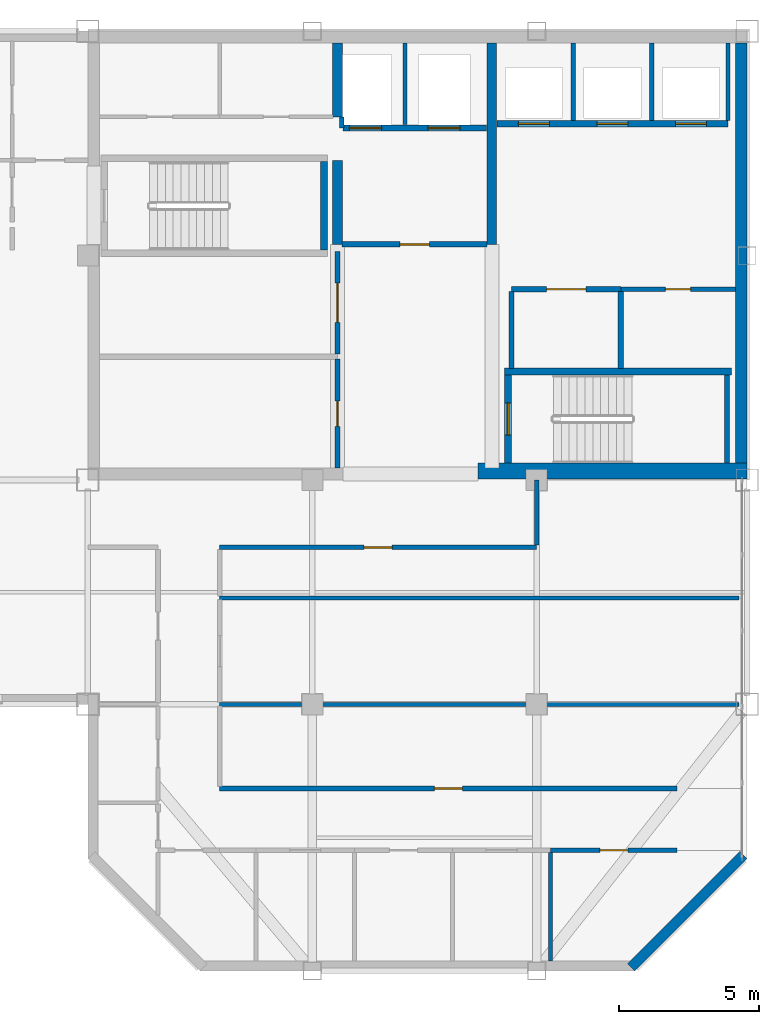
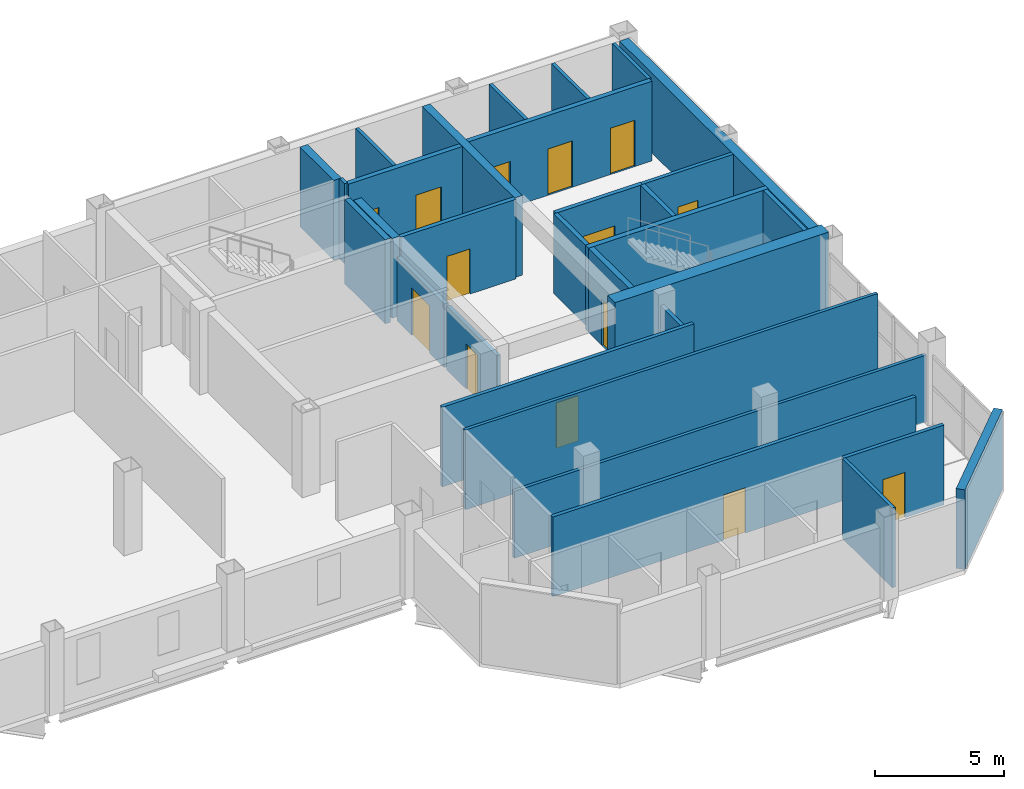
# One storey, part 9 of 13: 31 walls, 14 doors, 14 openings.
"""IFC4 building model written with IfcOpenShell, lengths in metres."""

from ifc_helpers import new_model, si_unit, direction, frame, frame_2d, origin, place, context, subcontext, project, spatial, rectangle, extrude, material, layer, layer_set, type_object, element, fill, save


model = new_model("IFC4")

# Units and contexts
model_context = context("Model", 3, precision=1e-05, world=origin(), true_north=direction((0.0, 1.0)))
body_context = subcontext(model_context, "Body", "Model", "MODEL_VIEW")
ifc_project = project(units=[si_unit("LENGTHUNIT", "METRE"), si_unit("AREAUNIT", "SQUARE_METRE"), si_unit("VOLUMEUNIT", "CUBIC_METRE"), si_unit("PLANEANGLEUNIT", "RADIAN"), si_unit("MASSUNIT", "GRAM", prefix="KILO")], contexts=[model_context])

# Site, building, storey
site_placement = place(None, origin())
site = spatial("IfcSite", under=ifc_project, at=site_placement, CompositionType="ELEMENT")
building_placement = place(site_placement, origin())
building = spatial("IfcBuilding", under=site, at=building_placement, Name="Qianrong Seaharbour Tower", CompositionType="ELEMENT")
storey_placement = place(building_placement, frame((0.0, 0.0, 299.199951171875)))
storey = spatial("IfcBuildingStorey", under=building, at=storey_placement, Name="L72", CompositionType="ELEMENT", Elevation=299.199951171875)

# Walls
ifc_material_1 = material(Name="Concrete C50/60", Category="concrete")
ifc_layer_1 = layer(ifc_material_1, 0.419921875)
ifc_layer_set_1 = layer_set([ifc_layer_1], Name="Concrete C50/60")
wall_type_1 = type_object("IfcWallType", Name="WALL-CORE-420", PredefinedType="SHEAR", material=ifc_layer_set_1)
wall_1_placement = place(storey_placement, frame((63.7900390625, 36.320068359375, 0.0), z_axis=(0.0, 0.0, 1.0), x_axis=(0.0, 1.0, 0.0)))
element("IfcWall", 1, at=wall_1_placement, inside=storey, type_object=wall_type_1, Name="L72 East Core Shear Wall", PredefinedType="SHEAR", context=body_context, shape_type="SweptSolid", body=[
    extrude(rectangle(XDim=15.260009765625, YDim=0.419921875, at=frame_2d((7.6298828125, 0.0))), origin(), (0.0, 0.0, 1.0), 3.78515625),
])
ifc_material_2 = material(Name="Concrete C70/85", Category="concrete")
ifc_layer_2 = layer(ifc_material_2, 0.580078125)
ifc_layer_set_2 = layer_set([ifc_layer_2], Name="Concrete C70/85")
wall_type_2 = type_object("IfcWallType", Name="WALL-CORE-580", PredefinedType="SHEAR", material=ifc_layer_set_2)
wall_2_placement = place(storey_placement, frame((54.39990234375, 36.320068359375, 0.0), z_axis=(0.0, 0.0, 1.0), x_axis=(1.0, 0.0, 0.0)))
element("IfcWall", 2, at=wall_2_placement, inside=storey, type_object=wall_type_2, Name="L72 South Core Shear Wall S3", PredefinedType="SHEAR", context=body_context, shape_type="SweptSolid", body=[
    extrude(rectangle(XDim=9.60009765625, YDim=0.580078125, at=frame_2d((4.800048828125, 0.0))), origin(), (0.0, 0.0, 1.0), 4.0),
])
ifc_layer_3 = layer(ifc_material_1, 0.35009765625)
ifc_layer_set_3 = layer_set([ifc_layer_3], Name="Concrete C50/60")
wall_type_3 = type_object("IfcWallType", Name="WALL-CORE-INT-350", PredefinedType="SHEAR", material=ifc_layer_set_3)
wall_3_placement = place(storey_placement, frame((49.39990234375, 44.39990234375, 0.0), z_axis=(0.0, 0.0, 1.0), x_axis=(0.0, 1.0, 0.0)))
element("IfcWall", 3, at=wall_3_placement, inside=storey, type_object=wall_type_3, Name="L72 Internal Core Shear Wall IW1N1", PredefinedType="SHEAR", context=body_context, shape_type="SweptSolid", body=[
    extrude(rectangle(XDim=3.0, YDim=0.35009765625, at=frame_2d((1.5, 0.0))), origin(), (0.0, 0.0, 1.0), 3.78515625),
])
wall_4_placement = place(storey_placement, frame((49.39990234375, 48.949951171875, 0.0), z_axis=(0.0, 0.0, 1.0), x_axis=(0.0, 1.0, 0.0)))
element("IfcWall", 4, at=wall_4_placement, inside=storey, type_object=wall_type_3, Name="L72 Internal Core Shear Wall IW1N2", PredefinedType="SHEAR", context=body_context, shape_type="SweptSolid", body=[
    extrude(rectangle(XDim=2.630126953125, YDim=0.35009765625, at=frame_2d((1.31494140625, 0.0))), origin(), (0.0, 0.0, 1.0), 3.78515625),
])
wall_5_placement = place(storey_placement, frame((54.89990234375, 44.39990234375, 0.0), z_axis=(0.0, 0.0, 1.0), x_axis=(0.0, 1.0, 0.0)))
element("IfcWall", 5, at=wall_5_placement, inside=storey, type_object=wall_type_3, Name="L72 Internal Core Shear Wall IW2N", PredefinedType="SHEAR", context=body_context, shape_type="SweptSolid", body=[
    extrude(rectangle(XDim=7.18017578125, YDim=0.35009765625, at=frame_2d((3.590087890625, 0.0))), origin(), (0.0, 0.0, 1.0), 3.78515625),
])

# Wall, opening, door
ifc_material_3 = material(Name="Fire-rated acoustic gypsum board partition")
ifc_layer_4 = layer(ifc_material_3, 0.1650390625)
ifc_layer_set_4 = layer_set([ifc_layer_4], Name="Fire-rated acoustic gypsum board partition")
wall_type_4 = type_object("IfcWallType", Name="WALL-CORR-PART-165", PredefinedType="PARTITIONING", material=ifc_layer_set_4)
wall_6_placement = place(storey_placement, frame((49.39990234375, 36.419921875, 0.0), z_axis=(0.0, 0.0, 1.0), x_axis=(0.0, 1.0, 0.0)))
wall_6 = element("IfcWall", 6, at=wall_6_placement, inside=storey, type_object=wall_type_4, Name="L72 Interior Partition Wall 010", PredefinedType="PARTITIONING", context=body_context, shape_type="SweptSolid", body=[
    extrude(rectangle(XDim=3.89306640625, YDim=0.1650390625, at=frame_2d((1.946533203125, 0.0))), origin(), (0.0, 0.0, 1.0), 3.027099609375),
])
opening_1_placement = place(wall_6_placement, frame((1.49658203125, 0.0, 0.0)))
opening_1 = element("IfcOpeningElement", 7, at=opening_1_placement, cuts=wall_6, Name="Opening DS-01", PredefinedType="OPENING", context=body_context, shape_type="SweptSolid", body=[
    extrude(rectangle(XDim=0.89990234375, YDim=2.14990234375, at=frame_2d((0.449951171875, 1.074951171875))), frame((0.0, 0.092529296875, 0.0), z_axis=(0.0, -1.0, 0.0), x_axis=(1.0, 0.0, 0.0)), (0.0, 0.0, 1.0), 0.18505859375),
])
ifc_material_4 = material(Name="Acoustic timber and galvanized steel fire door assembly", Category="steel")
door_type_1 = type_object("IfcDoorType", Name="DOOR-STORE-900x2150", OperationType="NOTDEFINED", PredefinedType="DOOR", material=ifc_material_4)
door_1_placement = place(opening_1_placement, origin())
door_1 = element("IfcDoor", 8, at=door_1_placement, inside=storey, type_object=door_type_1, Name="L72 Corporate Archive Room Door", OperationType="SINGLE_SWING_LEFT", OverallHeight=2.14990234375, OverallWidth=0.89990234375, PredefinedType="DOOR", context=body_context, shape_type="SweptSolid", body=[
    extrude(rectangle(XDim=0.89990234375, YDim=2.14990234375, at=frame_2d((0.449951171875, 1.074951171875))), frame((0.0, 0.02490234375, 0.0), z_axis=(0.0, -1.0, 0.0), x_axis=(1.0, 0.0, 0.0)), (0.0, 0.0, 1.0), 0.050048828125),
])
fill(opening_1, door_1)

wall_7_placement = place(storey_placement, frame((63.580078125, 42.800048828125, 0.0), z_axis=(0.0, 0.0, 1.0), x_axis=(-1.0, 0.0, 0.0)))
wall_7 = element("IfcWall", 9, at=wall_7_placement, inside=storey, type_object=wall_type_4, Name="L72 Interior Partition Wall 015", PredefinedType="PARTITIONING", context=body_context, shape_type="SweptSolid", body=[
    extrude(rectangle(XDim=4.080078125, YDim=0.1650390625, at=frame_2d((2.0400390625, 0.0))), origin(), (0.0, 0.0, 1.0), 3.78515625),
])
opening_2_placement = place(wall_7_placement, frame((1.590087890625, 0.0, 0.0)))
opening_2 = element("IfcOpeningElement", 10, at=opening_2_placement, cuts=wall_7, Name="Opening DS-01", PredefinedType="OPENING", context=body_context, shape_type="SweptSolid", body=[
    extrude(rectangle(XDim=0.89990234375, YDim=2.14990234375, at=frame_2d((0.449951171875, 1.074951171875))), frame((0.0, 0.092529296875, 0.0), z_axis=(0.0, -1.0, 0.0), x_axis=(1.0, 0.0, 0.0)), (0.0, 0.0, 1.0), 0.18505859375),
])
door_2_placement = place(opening_2_placement, origin())
door_2 = element("IfcDoor", 11, at=door_2_placement, inside=storey, type_object=door_type_1, Name="L72 Cleaner Store Room Door", OperationType="SINGLE_SWING_RIGHT", OverallHeight=2.14990234375, OverallWidth=0.89990234375, PredefinedType="DOOR", context=body_context, shape_type="SweptSolid", body=[
    extrude(rectangle(XDim=0.89990234375, YDim=2.14990234375, at=frame_2d((0.449951171875, 1.074951171875))), frame((0.0, 0.02490234375, 0.0), z_axis=(0.0, -1.0, 0.0), x_axis=(1.0, 0.0, 0.0)), (0.0, 0.0, 1.0), 0.050048828125),
])
fill(opening_2, door_2)

# Wall
wall_8_placement = place(storey_placement, frame((56.5, 36.0, 0.0), z_axis=(0.0, 0.0, 1.0), x_axis=(0.0, -1.0, 0.0)))
element("IfcWall", 12, at=wall_8_placement, inside=storey, type_object=wall_type_4, Name="L72 Interior Partition Wall 025", PredefinedType="PARTITIONING", context=body_context, shape_type="SweptSolid", body=[
    extrude(rectangle(XDim=2.325439453125, YDim=0.1650390625, at=frame_2d((1.16259765625, 0.0))), origin(), (0.0, 0.0, 1.0), 3.177001953125),
])

# Wall, opening, door
wall_9_placement = place(storey_placement, frame((56.5, 33.60009765625, 0.0), z_axis=(0.0, 0.0, 1.0), x_axis=(-1.0, 0.0, 0.0)))
wall_9 = element("IfcWall", 13, at=wall_9_placement, inside=storey, type_object=wall_type_4, Name="L72 Interior Partition Wall 026", PredefinedType="PARTITIONING", context=body_context, shape_type="SweptSolid", body=[
    extrude(rectangle(XDim=11.300048828125, YDim=0.1650390625, at=frame_2d((5.64990234375, 0.0))), origin(), (0.0, 0.0, 1.0), 3.78515625),
])
opening_3_placement = place(wall_9_placement, frame((5.14990234375, 0.0, 0.0)))
opening_3 = element("IfcOpeningElement", 14, at=opening_3_placement, cuts=wall_9, Name="Opening DO-01", PredefinedType="OPENING", context=body_context, shape_type="SweptSolid", body=[
    extrude(rectangle(XDim=1.0, YDim=2.14990234375, at=frame_2d((0.5, 1.074951171875))), frame((0.0, 0.092529296875, 0.0), z_axis=(0.0, -1.0, 0.0), x_axis=(1.0, 0.0, 0.0)), (0.0, 0.0, 1.0), 0.18505859375),
])
door_type_2 = type_object("IfcDoorType", Name="DOOR-OFFICE-1000x2150", OperationType="NOTDEFINED", PredefinedType="DOOR", material=ifc_material_4)
door_3_placement = place(opening_3_placement, origin())
door_3 = element("IfcDoor", 15, at=door_3_placement, inside=storey, type_object=door_type_2, Name="L72 Focus Room 3 Door", OperationType="SINGLE_SWING_LEFT", OverallHeight=2.14990234375, OverallWidth=1.0, PredefinedType="DOOR", context=body_context, shape_type="SweptSolid", body=[
    extrude(rectangle(XDim=1.0, YDim=2.14990234375, at=frame_2d((0.5, 1.074951171875))), frame((0.0, 0.02490234375, 0.0), z_axis=(0.0, -1.0, 0.0), x_axis=(1.0, 0.0, 0.0)), (0.0, 0.0, 1.0), 0.050048828125),
])
fill(opening_3, door_3)

wall_10_placement = place(storey_placement, frame((45.199951171875, 25.0, 0.0), z_axis=(0.0, 0.0, 1.0), x_axis=(1.0, 0.0, 0.0)))
wall_10 = element("IfcWall", 16, at=wall_10_placement, inside=storey, type_object=wall_type_4, Name="L72 Interior Partition Wall 035", PredefinedType="PARTITIONING", context=body_context, shape_type="SweptSolid", body=[
    extrude(rectangle(XDim=16.300048828125, YDim=0.1650390625, at=frame_2d((8.14990234375, 0.0))), origin(), (0.0, 0.0, 1.0), 3.78515625),
])
opening_4_placement = place(wall_10_placement, frame((7.64990234375, 0.0, 0.0)))
opening_4 = element("IfcOpeningElement", 17, at=opening_4_placement, cuts=wall_10, Name="Opening DO-01", PredefinedType="OPENING", context=body_context, shape_type="SweptSolid", body=[
    extrude(rectangle(XDim=1.0, YDim=2.14990234375, at=frame_2d((0.5, 1.074951171875))), frame((0.0, 0.092529296875, 0.0), z_axis=(0.0, -1.0, 0.0), x_axis=(1.0, 0.0, 0.0)), (0.0, 0.0, 1.0), 0.18505859375),
])
door_4_placement = place(opening_4_placement, origin())
door_4 = element("IfcDoor", 18, at=door_4_placement, inside=storey, type_object=door_type_2, Name="L72 Executive Office 1 Door", OperationType="SINGLE_SWING_LEFT", OverallHeight=2.14990234375, OverallWidth=1.0, PredefinedType="DOOR", context=body_context, shape_type="SweptSolid", body=[
    extrude(rectangle(XDim=1.0, YDim=2.14990234375, at=frame_2d((0.5, 1.074951171875))), frame((0.0, 0.02490234375, 0.0), z_axis=(0.0, -1.0, 0.0), x_axis=(1.0, 0.0, 0.0)), (0.0, 0.0, 1.0), 0.050048828125),
])
fill(opening_4, door_4)

wall_11_placement = place(storey_placement, frame((61.5, 22.800048828125, 0.0), z_axis=(0.0, 0.0, 1.0), x_axis=(-1.0, 0.0, 0.0)))
wall_11 = element("IfcWall", 19, at=wall_11_placement, inside=storey, type_object=wall_type_4, Name="L72 Interior Partition Wall 040", PredefinedType="PARTITIONING", context=body_context, shape_type="SweptSolid", body=[
    extrude(rectangle(XDim=4.5, YDim=0.1650390625, at=frame_2d((2.25, 0.0))), origin(), (0.0, 0.0, 1.0), 3.78515625),
])
opening_5_placement = place(wall_11_placement, frame((1.75, 0.0, 0.0)))
opening_5 = element("IfcOpeningElement", 20, at=opening_5_placement, cuts=wall_11, Name="Opening DO-01", PredefinedType="OPENING", context=body_context, shape_type="SweptSolid", body=[
    extrude(rectangle(XDim=1.0, YDim=2.14990234375, at=frame_2d((0.5, 1.074951171875))), frame((0.0, 0.092529296875, 0.0), z_axis=(0.0, -1.0, 0.0), x_axis=(1.0, 0.0, 0.0)), (0.0, 0.0, 1.0), 0.18505859375),
])
door_5_placement = place(opening_5_placement, origin())
door_5 = element("IfcDoor", 21, at=door_5_placement, inside=storey, type_object=door_type_2, Name="L72 Executive Office 5 Door", OperationType="SINGLE_SWING_LEFT", OverallHeight=2.14990234375, OverallWidth=1.0, PredefinedType="DOOR", context=body_context, shape_type="SweptSolid", body=[
    extrude(rectangle(XDim=1.0, YDim=2.14990234375, at=frame_2d((0.5, 1.074951171875))), frame((0.0, 0.02490234375, 0.0), z_axis=(0.0, -1.0, 0.0), x_axis=(1.0, 0.0, 0.0)), (0.0, 0.0, 1.0), 0.050048828125),
])
fill(opening_5, door_5)

# Wall
ifc_material_5 = material(Name="Unitised red brick on Precast concrete C45/55", Category="masonry")
ifc_layer_5 = layer(ifc_material_5, 0.360107421875)
ifc_layer_set_5 = layer_set([ifc_layer_5], Name="Unitised red brick on Precast concrete C45/55")
wall_type_5 = type_object("IfcWallType", Name="WALL-EXT-BRICK-RED-360", PredefinedType="SOLIDWALL", material=ifc_layer_set_5)
wall_12_placement = place(storey_placement, frame((63.872802734375, 22.627197265625, 0.0), z_axis=(0.0, 0.0, 1.0), x_axis=(-0.707106781187, -0.707106781187, 0.0)))
element("IfcWall", 22, at=wall_12_placement, inside=storey, type_object=wall_type_5, Name="L72 Exterior Masonry Facade Wall E07", PredefinedType="SOLIDWALL", context=body_context, shape_type="SweptSolid", body=[
    extrude(rectangle(XDim=5.65673828125, YDim=0.360107421875, at=frame_2d((2.828369140625, 0.0))), origin(), (0.0, 0.0, 1.0), 3.78515625),
])

# Wall, opening, door
ifc_material_6 = material(Name="Double fire-rated gypsum board acoustic partition")
ifc_layer_6 = layer(ifc_material_6, 0.18994140625)
ifc_layer_set_6 = layer_set([ifc_layer_6], Name="Double fire-rated gypsum board acoustic partition")
wall_type_6 = type_object("IfcWallType", Name="WALL-FIRE-PART-190", PredefinedType="PARTITIONING", material=ifc_layer_set_6)
wall_13_placement = place(storey_placement, frame((54.73291015625, 44.39990234375, 0.0), z_axis=(0.0, 0.0, 1.0), x_axis=(-1.0, 0.0, 0.0)))
wall_13 = element("IfcWall", 23, at=wall_13_placement, inside=storey, type_object=wall_type_6, Name="L72 Interior Partition Wall 009", PredefinedType="PARTITIONING", context=body_context, shape_type="SweptSolid", body=[
    extrude(rectangle(XDim=5.166015625, YDim=0.18994140625, at=frame_2d((2.5830078125, 0.0))), origin(), (0.0, 0.0, 1.0), 3.78515625),
])
opening_6_placement = place(wall_13_placement, frame((2.05810546875, 0.0, 0.0)))
opening_6 = element("IfcOpeningElement", 24, at=opening_6_placement, cuts=wall_13, Name="Opening DC-01", PredefinedType="OPENING", context=body_context, shape_type="SweptSolid", body=[
    extrude(rectangle(XDim=1.050048828125, YDim=2.14990234375, at=frame_2d((0.52490234375, 1.074951171875))), frame((0.0, 0.10498046875, 0.0), z_axis=(0.0, -1.0, 0.0), x_axis=(1.0, 0.0, 0.0)), (0.0, 0.0, 1.0), 0.2099609375),
])
door_type_3 = type_object("IfcDoorType", Name="DOOR-CORR-FD60-1050x2150", OperationType="NOTDEFINED", PredefinedType="DOOR", material=ifc_material_4)
door_6_placement = place(opening_6_placement, origin())
door_6 = element("IfcDoor", 25, at=door_6_placement, inside=storey, type_object=door_type_3, Name="L72 Firefighting Lift Lobby Door", OperationType="SINGLE_SWING_RIGHT", OverallHeight=2.14990234375, OverallWidth=1.050048828125, PredefinedType="DOOR", context=body_context, shape_type="SweptSolid", body=[
    extrude(rectangle(XDim=1.050048828125, YDim=2.14990234375, at=frame_2d((0.52490234375, 1.074951171875))), frame((0.0, 0.02490234375, 0.0), z_axis=(0.0, -1.0, 0.0), x_axis=(1.0, 0.0, 0.0)), (0.0, 0.0, 1.0), 0.050048828125),
])
fill(opening_6, door_6)

wall_14_placement = place(storey_placement, frame((49.39990234375, 40.487060546875, 0.0), z_axis=(0.0, 0.0, 1.0), x_axis=(0.0, 1.0, 0.0)))
wall_14 = element("IfcWall", 26, at=wall_14_placement, inside=storey, type_object=wall_type_6, Name="L72 Interior Partition Wall 011", PredefinedType="PARTITIONING", context=body_context, shape_type="SweptSolid", body=[
    extrude(rectangle(XDim=3.662841796875, YDim=0.18994140625, at=frame_2d((1.83154296875, 0.0))), origin(), (0.0, 0.0, 1.0), 3.027099609375),
])
opening_7_placement = place(wall_14_placement, frame((1.131591796875, 0.0, 0.0)))
opening_7 = element("IfcOpeningElement", 27, at=opening_7_placement, cuts=wall_14, Name="Opening DP-01", PredefinedType="OPENING", context=body_context, shape_type="SweptSolid", body=[
    extrude(rectangle(XDim=1.39990234375, YDim=2.25, at=frame_2d((0.699951171875, 1.125))), frame((0.0, 0.10498046875, 0.0), z_axis=(0.0, -1.0, 0.0), x_axis=(1.0, 0.0, 0.0)), (0.0, 0.0, 1.0), 0.2099609375),
])
door_type_4 = type_object("IfcDoorType", Name="DOOR-PLANT-PAIR-1400x2250", OperationType="DOUBLE_DOOR_SINGLE_SWING", PredefinedType="DOOR", material=ifc_material_4)
door_7_placement = place(opening_7_placement, origin())
door_7 = element("IfcDoor", 28, at=door_7_placement, inside=storey, type_object=door_type_4, Name="L72 Telecom Server Room Door", OperationType="DOUBLE_DOOR_SINGLE_SWING", OverallHeight=2.25, OverallWidth=1.39990234375, PredefinedType="DOOR", context=body_context, shape_type="SweptSolid", body=[
    extrude(rectangle(XDim=1.39990234375, YDim=2.25, at=frame_2d((0.699951171875, 1.125))), frame((0.0, 0.02490234375, 0.0), z_axis=(0.0, -1.0, 0.0), x_axis=(1.0, 0.0, 0.0)), (0.0, 0.0, 1.0), 0.050048828125),
])
fill(opening_7, door_7)

# Wall
wall_15_placement = place(storey_placement, frame((55.60009765625, 42.712890625, 0.0), z_axis=(0.0, 0.0, 1.0), x_axis=(0.0, -1.0, 0.0)))
element("IfcWall", 29, at=wall_15_placement, inside=storey, type_object=wall_type_6, Name="L72 Interior Partition Wall 012", PredefinedType="PARTITIONING", context=body_context, shape_type="SweptSolid", body=[
    extrude(rectangle(XDim=2.73095703125, YDim=0.18994140625, at=frame_2d((1.365478515625, 0.0))), origin(), (0.0, 0.0, 1.0), 3.78515625),
])

# Wall, opening, door
wall_16_placement = place(storey_placement, frame((59.5, 42.800048828125, 0.0), z_axis=(0.0, 0.0, 1.0), x_axis=(-1.0, 0.0, 0.0)))
wall_16 = element("IfcWall", 30, at=wall_16_placement, inside=storey, type_object=wall_type_6, Name="L72 Interior Partition Wall 014", PredefinedType="PARTITIONING", context=body_context, shape_type="SweptSolid", body=[
    extrude(rectangle(XDim=3.89990234375, YDim=0.18994140625, at=frame_2d((1.949951171875, 0.0))), origin(), (0.0, 0.0, 1.0), 3.78515625),
])
opening_8_placement = place(wall_16_placement, frame((1.25, 0.0, 0.0)))
opening_8 = element("IfcOpeningElement", 31, at=opening_8_placement, cuts=wall_16, Name="Opening DP-01", PredefinedType="OPENING", context=body_context, shape_type="SweptSolid", body=[
    extrude(rectangle(XDim=1.39990234375, YDim=2.25, at=frame_2d((0.699951171875, 1.125))), frame((0.0, 0.10498046875, 0.0), z_axis=(0.0, -1.0, 0.0), x_axis=(1.0, 0.0, 0.0)), (0.0, 0.0, 1.0), 0.2099609375),
])
door_8_placement = place(opening_8_placement, origin())
door_8 = element("IfcDoor", 32, at=door_8_placement, inside=storey, type_object=door_type_4, Name="L72 Electrical Substation Door", OperationType="DOUBLE_DOOR_SINGLE_SWING", OverallHeight=2.25, OverallWidth=1.39990234375, PredefinedType="DOOR", context=body_context, shape_type="SweptSolid", body=[
    extrude(rectangle(XDim=1.39990234375, YDim=2.25, at=frame_2d((0.699951171875, 1.125))), frame((0.0, 0.02490234375, 0.0), z_axis=(0.0, -1.0, 0.0), x_axis=(1.0, 0.0, 0.0)), (0.0, 0.0, 1.0), 0.050048828125),
])
fill(opening_8, door_8)

# Walls
wall_17_placement = place(storey_placement, frame((59.5, 42.712890625, 0.0), z_axis=(0.0, 0.0, 1.0), x_axis=(0.0, -1.0, 0.0)))
element("IfcWall", 33, at=wall_17_placement, inside=storey, type_object=wall_type_6, Name="L72 Interior Partition Wall 017", PredefinedType="PARTITIONING", context=body_context, shape_type="SweptSolid", body=[
    extrude(rectangle(XDim=2.73095703125, YDim=0.18994140625, at=frame_2d((1.365478515625, 0.0))), origin(), (0.0, 0.0, 1.0), 3.78515625),
])
ifc_material_7 = material(Name="Acoustic gypsum board stud partition")
ifc_layer_7 = layer(ifc_material_7, 0.14501953125)
ifc_layer_set_7 = layer_set([ifc_layer_7], Name="Acoustic gypsum board stud partition")
wall_type_7 = type_object("IfcWallType", Name="WALL-OFFICE-PART-145", PredefinedType="PARTITIONING", material=ifc_layer_set_7)
wall_18_placement = place(storey_placement, frame((45.199951171875, 28.0, 0.0), z_axis=(0.0, 0.0, 1.0), x_axis=(1.0, 0.0, 0.0)))
element("IfcWall", 34, at=wall_18_placement, inside=storey, type_object=wall_type_7, Name="L72 Interior Partition Wall 046", PredefinedType="PARTITIONING", context=body_context, shape_type="SweptSolid", body=[
    extrude(rectangle(XDim=18.51806640625, YDim=0.14501953125, at=frame_2d((9.259033203125, 0.0))), origin(), (0.0, 0.0, 1.0), 3.177001953125),
])
wall_19_placement = place(storey_placement, frame((45.199951171875, 31.800048828125, 0.0), z_axis=(0.0, 0.0, 1.0), x_axis=(1.0, 0.0, 0.0)))
element("IfcWall", 35, at=wall_19_placement, inside=storey, type_object=wall_type_7, Name="L72 Interior Partition Wall 047", PredefinedType="PARTITIONING", context=body_context, shape_type="SweptSolid", body=[
    extrude(rectangle(XDim=18.51806640625, YDim=0.14501953125, at=frame_2d((9.259033203125, 0.0))), origin(), (0.0, 0.0, 1.0), 3.78515625),
])
wall_20_placement = place(storey_placement, frame((57.0, 22.7255859375, 0.0), z_axis=(0.0, 0.0, 1.0), x_axis=(0.0, -1.0, 0.0)))
element("IfcWall", 36, at=wall_20_placement, inside=storey, type_object=wall_type_7, Name="L72 Interior Partition Wall 054", PredefinedType="PARTITIONING", context=body_context, shape_type="SweptSolid", body=[
    extrude(rectangle(XDim=3.87353515625, YDim=0.14501953125, at=frame_2d((1.936767578125, 0.0))), origin(), (0.0, 0.0, 1.0), 3.78515625),
])
ifc_material_8 = material(Name="Fire-rated gypsum board on steel studs", Category="steel")
ifc_layer_8 = layer(ifc_material_8, 0.14990234375)
ifc_layer_set_8 = layer_set([ifc_layer_8], Name="Fire-rated gypsum board on steel studs")
wall_type_8 = type_object("IfcWallType", Name="WALL-SHAFT-DIV-150", PredefinedType="PARTITIONING", material=ifc_layer_set_8)
wall_21_placement = place(storey_placement, frame((51.800048828125, 48.669921875, 0.0), z_axis=(0.0, 0.0, 1.0), x_axis=(0.0, 1.0, 0.0)))
element("IfcWall", 37, at=wall_21_placement, inside=storey, type_object=wall_type_8, Name="L72 Firefighting Lift Shaft Divider Wall", PredefinedType="PARTITIONING", context=body_context, shape_type="SweptSolid", body=[
    extrude(rectangle(XDim=2.91015625, YDim=0.14990234375, at=frame_2d((1.455078125, 0.0))), origin(), (0.0, 0.0, 1.0), 3.78515625),
])
wall_22_placement = place(storey_placement, frame((49.550048828125, 48.550048828125, 0.0), z_axis=(0.0, 0.0, 1.0), x_axis=(0.0, 1.0, 0.0)))
element("IfcWall", 38, at=wall_22_placement, inside=storey, type_object=wall_type_8, Name="L72 Firefighting Lift Shaft West Return Wall", PredefinedType="PARTITIONING", context=body_context, shape_type="SweptSolid", body=[
    extrude(rectangle(XDim=0.39990234375, YDim=0.14990234375, at=frame_2d((0.199951171875, 0.0))), origin(), (0.0, 0.0, 1.0), 3.78515625),
])
for number, where, z_axis, x_axis, name in (
    (39, (57.800048828125, 48.81005859375, 0.0), (0.0, 0.0, 1.0), (0.0, 1.0, 0.0), "L72 P4 Lift Hoistway Divider 2"),
    (40, (60.60009765625, 48.81005859375, 0.0), (0.0, 0.0, 1.0), (0.0, 1.0, 0.0), "L72 P4 Lift Hoistway Divider 3"),
    (41, (63.320068359375, 48.81005859375, 0.0), (0.0, 0.0, 1.0), (0.0, 1.0, 0.0), "L72 P4 Lift Hoistway Divider 4"),
):
    element("IfcWall", number, at=place(storey_placement, frame(where, z_axis=z_axis, x_axis=x_axis)), inside=storey, type_object=wall_type_8, Name=name, PredefinedType="PARTITIONING", context=body_context, shape_type="SweptSolid", body=[
        extrude(rectangle(XDim=2.77001953125, YDim=0.14990234375, at=frame_2d((1.385009765625, 0.0))), origin(), (0.0, 0.0, 1.0), 3.78515625),
    ])

# Wall, openings, doors
ifc_layer_9 = layer(ifc_material_8, 0.219970703125)
ifc_layer_set_9 = layer_set([ifc_layer_9], Name="Fire-rated gypsum board on steel studs")
wall_type_9 = type_object("IfcWallType", Name="WALL-SHAFT-GYP220", PredefinedType="PARTITIONING", material=ifc_layer_set_9)
wall_23_placement = place(storey_placement, frame((54.7099609375, 48.550048828125, 0.0), z_axis=(0.0, 0.0, 1.0), x_axis=(-1.0, 0.0, 0.0)))
wall_23 = element("IfcWall", 42, at=wall_23_placement, inside=storey, type_object=wall_type_9, Name="L72 Firefighting Lift Shaft Front Wall", PredefinedType="PARTITIONING", context=body_context, shape_type="SweptSolid", body=[
    extrude(rectangle(XDim=5.119873046875, YDim=0.219970703125, at=frame_2d((2.56005859375, 0.0))), origin(), (0.0, 0.0, 1.0), 3.78515625),
])
opening_9_placement = place(wall_23_placement, frame((3.735107421875, 0.0, 0.0)))
opening_9 = element("IfcOpeningElement", 43, at=opening_9_placement, cuts=wall_23, Name="Opening LD-01", PredefinedType="OPENING", context=body_context, shape_type="SweptSolid", body=[
    extrude(rectangle(XDim=1.14990234375, YDim=2.199951171875, at=frame_2d((0.574951171875, 1.10009765625))), frame((0.0, 0.1201171875, 0.0), z_axis=(0.0, -1.0, 0.0), x_axis=(1.0, 0.0, 0.0)), (0.0, 0.0, 1.0), 0.239990234375),
])
opening_10_placement = place(wall_23_placement, frame((0.93505859375, 0.0, 0.0)))
opening_10 = element("IfcOpeningElement", 44, at=opening_10_placement, cuts=wall_23, Name="Opening LD-01", PredefinedType="OPENING", context=body_context, shape_type="SweptSolid", body=[
    extrude(rectangle(XDim=1.14990234375, YDim=2.199951171875, at=frame_2d((0.574951171875, 1.10009765625))), frame((0.0, 0.1201171875, 0.0), z_axis=(0.0, -1.0, 0.0), x_axis=(1.0, 0.0, 0.0)), (0.0, 0.0, 1.0), 0.239990234375),
])
ifc_material_9 = material(Name="Stainless steel SUS316L bi-parting lift landing door", Category="steel")
door_type_5 = type_object("IfcDoorType", Name="DOOR-LIFT-FF-1150x2200", OperationType="DOUBLE_DOOR_SLIDING", PredefinedType="DOOR", material=ifc_material_9)
door_9_placement = place(opening_9_placement, origin())
door_9 = element("IfcDoor", 45, at=door_9_placement, inside=storey, type_object=door_type_5, Name="L72 FL-1 Firefighting Lift Landing Door", OperationType="DOUBLE_DOOR_SLIDING", OverallHeight=2.199951171875, OverallWidth=1.14990234375, PredefinedType="DOOR", context=body_context, shape_type="SweptSolid", body=[
    extrude(rectangle(XDim=1.14990234375, YDim=2.199951171875, at=frame_2d((0.574951171875, 1.10009765625))), frame((0.0, 0.02490234375, 0.0), z_axis=(0.0, -1.0, 0.0), x_axis=(1.0, 0.0, 0.0)), (0.0, 0.0, 1.0), 0.050048828125),
])
fill(opening_9, door_9)
door_10_placement = place(opening_10_placement, origin())
door_10 = element("IfcDoor", 46, at=door_10_placement, inside=storey, type_object=door_type_5, Name="L72 FL-2 Firefighting Lift Landing Door", OperationType="DOUBLE_DOOR_SLIDING", OverallHeight=2.199951171875, OverallWidth=1.14990234375, PredefinedType="DOOR", context=body_context, shape_type="SweptSolid", body=[
    extrude(rectangle(XDim=1.14990234375, YDim=2.199951171875, at=frame_2d((0.574951171875, 1.10009765625))), frame((0.0, 0.02490234375, 0.0), z_axis=(0.0, -1.0, 0.0), x_axis=(1.0, 0.0, 0.0)), (0.0, 0.0, 1.0), 0.050048828125),
])
fill(opening_10, door_10)

wall_24_placement = place(storey_placement, frame((63.320068359375, 48.699951171875, 0.0), z_axis=(0.0, 0.0, 1.0), x_axis=(-1.0, 0.0, 0.0)))
wall_24 = element("IfcWall", 47, at=wall_24_placement, inside=storey, type_object=wall_type_9, Name="L72 P4 Lift Hoistway Front Wall", PredefinedType="PARTITIONING", context=body_context, shape_type="SweptSolid", body=[
    extrude(rectangle(XDim=8.239990234375, YDim=0.219970703125, at=frame_2d((4.1201171875, 0.0))), origin(), (0.0, 0.0, 1.0), 3.78515625),
])
opening_11_placement = place(wall_24_placement, frame((6.3701171875, 0.0, 0.0)))
opening_11 = element("IfcOpeningElement", 48, at=opening_11_placement, cuts=wall_24, Name="Opening LD-02", PredefinedType="OPENING", context=body_context, shape_type="SweptSolid", body=[
    extrude(rectangle(XDim=1.10009765625, YDim=2.199951171875, at=frame_2d((0.550048828125, 1.10009765625))), frame((0.0, 0.1201171875, 0.0), z_axis=(0.0, -1.0, 0.0), x_axis=(1.0, 0.0, 0.0)), (0.0, 0.0, 1.0), 0.239990234375),
])
opening_12_placement = place(wall_24_placement, frame((3.570068359375, 0.0, 0.0)))
opening_12 = element("IfcOpeningElement", 49, at=opening_12_placement, cuts=wall_24, Name="Opening LD-02", PredefinedType="OPENING", context=body_context, shape_type="SweptSolid", body=[
    extrude(rectangle(XDim=1.10009765625, YDim=2.199951171875, at=frame_2d((0.550048828125, 1.10009765625))), frame((0.0, 0.1201171875, 0.0), z_axis=(0.0, -1.0, 0.0), x_axis=(1.0, 0.0, 0.0)), (0.0, 0.0, 1.0), 0.239990234375),
])
opening_13_placement = place(wall_24_placement, frame((0.77001953125, 0.0, 0.0)))
opening_13 = element("IfcOpeningElement", 50, at=opening_13_placement, cuts=wall_24, Name="Opening LD-02", PredefinedType="OPENING", context=body_context, shape_type="SweptSolid", body=[
    extrude(rectangle(XDim=1.10009765625, YDim=2.199951171875, at=frame_2d((0.550048828125, 1.10009765625))), frame((0.0, 0.1201171875, 0.0), z_axis=(0.0, -1.0, 0.0), x_axis=(1.0, 0.0, 0.0)), (0.0, 0.0, 1.0), 0.239990234375),
])
door_type_6 = type_object("IfcDoorType", Name="DOOR-LIFT-PASS-1100x2200", OperationType="DOUBLE_DOOR_SLIDING", PredefinedType="DOOR", material=ifc_material_9)
door_11_placement = place(opening_11_placement, origin())
door_11 = element("IfcDoor", 51, at=door_11_placement, inside=storey, type_object=door_type_6, Name="L72 PL-4A Lift Landing Door", OperationType="DOUBLE_DOOR_SLIDING", OverallHeight=2.199951171875, OverallWidth=1.10009765625, PredefinedType="DOOR", context=body_context, shape_type="SweptSolid", body=[
    extrude(rectangle(XDim=1.10009765625, YDim=2.199951171875, at=frame_2d((0.550048828125, 1.10009765625))), frame((0.0, 0.02490234375, 0.0), z_axis=(0.0, -1.0, 0.0), x_axis=(1.0, 0.0, 0.0)), (0.0, 0.0, 1.0), 0.050048828125),
])
fill(opening_11, door_11)
door_12_placement = place(opening_12_placement, origin())
door_12 = element("IfcDoor", 52, at=door_12_placement, inside=storey, type_object=door_type_6, Name="L72 PL-4B Lift Landing Door", OperationType="DOUBLE_DOOR_SLIDING", OverallHeight=2.199951171875, OverallWidth=1.10009765625, PredefinedType="DOOR", context=body_context, shape_type="SweptSolid", body=[
    extrude(rectangle(XDim=1.10009765625, YDim=2.199951171875, at=frame_2d((0.550048828125, 1.10009765625))), frame((0.0, 0.02490234375, 0.0), z_axis=(0.0, -1.0, 0.0), x_axis=(1.0, 0.0, 0.0)), (0.0, 0.0, 1.0), 0.050048828125),
])
fill(opening_12, door_12)
door_13_placement = place(opening_13_placement, origin())
door_13 = element("IfcDoor", 53, at=door_13_placement, inside=storey, type_object=door_type_6, Name="L72 PL-4C Lift Landing Door", OperationType="DOUBLE_DOOR_SLIDING", OverallHeight=2.199951171875, OverallWidth=1.10009765625, PredefinedType="DOOR", context=body_context, shape_type="SweptSolid", body=[
    extrude(rectangle(XDim=1.10009765625, YDim=2.199951171875, at=frame_2d((0.550048828125, 1.10009765625))), frame((0.0, 0.02490234375, 0.0), z_axis=(0.0, -1.0, 0.0), x_axis=(1.0, 0.0, 0.0)), (0.0, 0.0, 1.0), 0.050048828125),
])
fill(opening_13, door_13)

# Walls
ifc_layer_10 = layer(ifc_material_1, 0.239990234375)
ifc_layer_set_10 = layer_set([ifc_layer_10], Name="Concrete C50/60")
wall_type_10 = type_object("IfcWallType", Name="WALL-SHAFT-RC240", PredefinedType="SOLIDWALL", material=ifc_layer_set_10)
wall_25_placement = place(storey_placement, frame((48.919921875, 44.199951171875, 0.0), z_axis=(0.0, 0.0, 1.0), x_axis=(0.0, 1.0, 0.0)))
element("IfcWall", 54, at=wall_25_placement, inside=storey, type_object=wall_type_10, Name="L72 ST-1 Structural Stair Core Wall E", PredefinedType="SOLIDWALL", context=body_context, shape_type="SweptSolid", body=[
    extrude(rectangle(XDim=3.150146484375, YDim=0.239990234375, at=frame_2d((1.5751953125, 0.0))), origin(), (0.0, 0.0, 1.0), 4.0),
])
wall_26_placement = place(storey_placement, frame((55.360107421875, 39.8701171875, 0.0), z_axis=(0.0, 0.0, 1.0), x_axis=(1.0, 0.0, 0.0)))
element("IfcWall", 55, at=wall_26_placement, inside=storey, type_object=wall_type_10, Name="L72 ST-2 Structural Stair Core Wall N", PredefinedType="SOLIDWALL", context=body_context, shape_type="SweptSolid", body=[
    extrude(rectangle(XDim=8.079833984375, YDim=0.239990234375, at=frame_2d((4.0400390625, 0.0))), origin(), (0.0, 0.0, 1.0), 4.0),
])

# Wall, opening, door
wall_27_placement = place(storey_placement, frame((55.47998046875, 39.75, 0.0), z_axis=(0.0, 0.0, 1.0), x_axis=(0.0, -1.0, 0.0)))
wall_27 = element("IfcWall", 56, at=wall_27_placement, inside=storey, type_object=wall_type_10, Name="L72 ST-2 Structural Stair Core Wall W", PredefinedType="SOLIDWALL", context=body_context, shape_type="SweptSolid", body=[
    extrude(rectangle(XDim=3.14990234375, YDim=0.239990234375, at=frame_2d((1.574951171875, 0.0))), origin(), (0.0, 0.0, 1.0), 4.0),
])
opening_14_placement = place(wall_27_placement, frame((1.0, 0.0, 0.0)))
opening_14 = element("IfcOpeningElement", 57, at=opening_14_placement, cuts=wall_27, Name="Opening SD-01", PredefinedType="OPENING", context=body_context, shape_type="SweptSolid", body=[
    extrude(rectangle(XDim=1.14990234375, YDim=2.199951171875, at=frame_2d((0.574951171875, 1.10009765625))), frame((0.0, 0.1298828125, 0.0), z_axis=(0.0, -1.0, 0.0), x_axis=(1.0, 0.0, 0.0)), (0.0, 0.0, 1.0), 0.260009765625),
])
door_type_7 = type_object("IfcDoorType", Name="DOOR-STAIR-FD60-1150x2200", OperationType="NOTDEFINED", PredefinedType="DOOR", material=ifc_material_4)
door_14_placement = place(opening_14_placement, origin())
door_14 = element("IfcDoor", 58, at=door_14_placement, inside=storey, type_object=door_type_7, Name="L72 ST-2 Protected Stair Door", OperationType="SINGLE_SWING_LEFT", OverallHeight=2.199951171875, OverallWidth=1.14990234375, PredefinedType="DOOR", context=body_context, shape_type="SweptSolid", body=[
    extrude(rectangle(XDim=1.14990234375, YDim=2.199951171875, at=frame_2d((0.574951171875, 1.10009765625))), frame((0.0, 0.02490234375, 0.0), z_axis=(0.0, -1.0, 0.0), x_axis=(1.0, 0.0, 0.0)), (0.0, 0.0, 1.0), 0.050048828125),
])
fill(opening_14, door_14)

# Wall
wall_28_placement = place(storey_placement, frame((63.2900390625, 36.60009765625, 0.0), z_axis=(0.0, 0.0, 1.0), x_axis=(0.0, 1.0, 0.0)))
element("IfcWall", 59, at=wall_28_placement, inside=storey, type_object=wall_type_10, Name="L72 ST-2 Structural Stair Core Wall E", PredefinedType="SOLIDWALL", context=body_context, shape_type="SweptSolid", body=[
    extrude(rectangle(XDim=3.14990234375, YDim=0.179931640625, at=frame_2d((1.574951171875, 0.0))), origin(), (0.0, 0.0, 1.0), 4.0),
])

save(model, "model.ifc")
